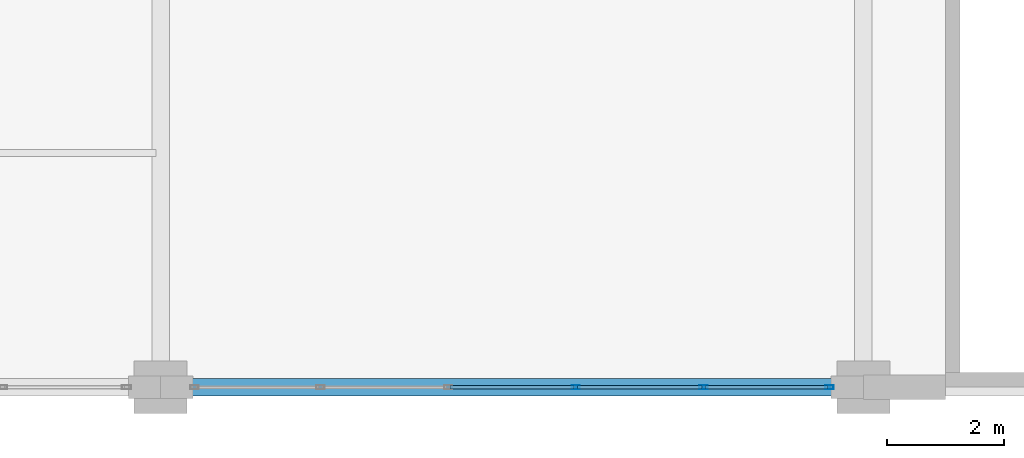
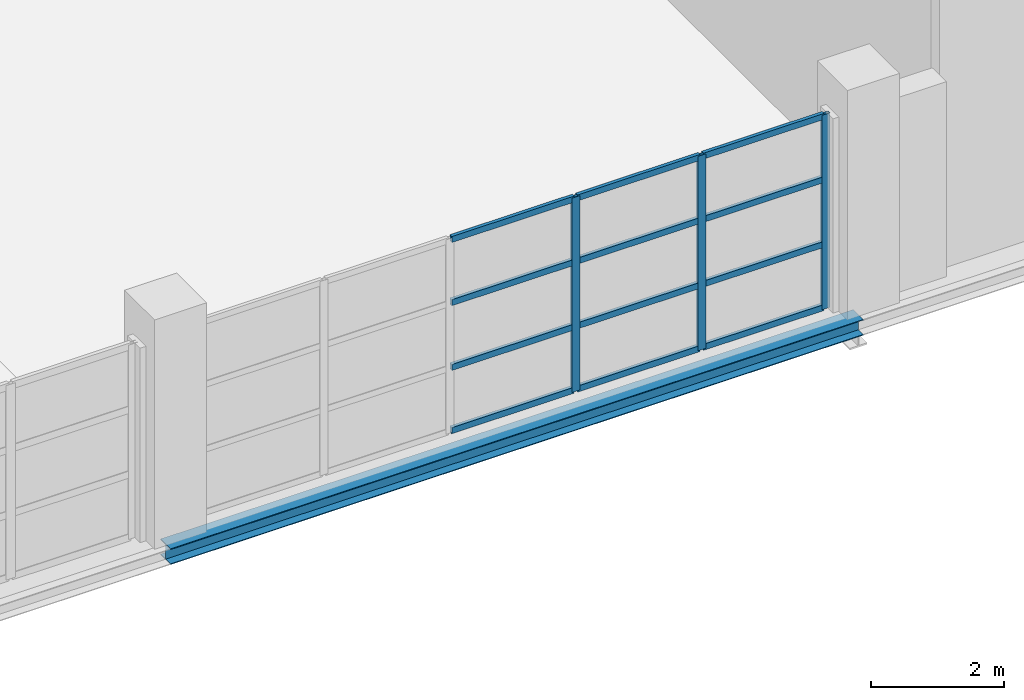
# One storey, part 71 of 158: 15 members, 1 beam, 1 element without a shape of its own.
"""IFC4 building model written with IfcOpenShell, lengths in metres."""

from ifc_helpers import new_model, si_unit, direction, frame, origin, origin_2d, place, context, subcontext, project, spatial, hollow_rectangle, i_section, extrude, material, layer, layer_set, material_profile, profile_set, type_object, element, aggregate, save


model = new_model("IFC4")

# Units and contexts
model_context = context("Model", 3, precision=1e-05, world=origin(), true_north=direction((0.0, 1.0)))
body_context = subcontext(model_context, "Body", "Model", "MODEL_VIEW")
ifc_project = project(units=[si_unit("LENGTHUNIT", "METRE"), si_unit("AREAUNIT", "SQUARE_METRE"), si_unit("VOLUMEUNIT", "CUBIC_METRE"), si_unit("PLANEANGLEUNIT", "RADIAN"), si_unit("MASSUNIT", "GRAM", prefix="KILO")], contexts=[model_context])

# Site, building, storey
site_placement = place(None, origin())
site = spatial("IfcSite", under=ifc_project, at=site_placement, CompositionType="ELEMENT")
building_placement = place(site_placement, origin())
building = spatial("IfcBuilding", under=site, at=building_placement, Name="Zilviju Railside Exhibition Hall", CompositionType="ELEMENT")
storey_placement = place(building_placement, frame((0.0, 0.0, 4.199951171875)))
storey = spatial("IfcBuildingStorey", under=building, at=storey_placement, Name="L02", CompositionType="ELEMENT", Elevation=4.199951171875)

# Beam
ifc_material_1 = material(Name="Steel S355J2", Category="steel")
ifc_material_profile_1 = material_profile(ifc_material_1, i_section(OverallWidth=0.300048828125, OverallDepth=0.2900390625, WebThickness=0.008544921875, FlangeThickness=0.013916015625, at=origin_2d()), Name="HEA 300")
ifc_profile_set_1 = profile_set([ifc_material_profile_1], Name="Steel S355J2")
beam_type = type_object("IfcBeamType", Name="BM-HEA300", PredefinedType="SPANDREL", material=ifc_profile_set_1)
beam_placement = place(storey_placement, frame((180.0, 0.0, -0.474853515625), z_axis=(1.0, 0.0, 0.0), x_axis=(0.0, 1.0, 0.0)))
element("IfcBeam", 1, at=beam_placement, inside=storey, type_object=beam_type, Name="Primary Girder L02 Y=0.0 (180.0..192.0)", PredefinedType="SPANDREL", context=body_context, shape_type="SweptSolid", body=[
    extrude(i_section(OverallWidth=0.300048828125, OverallDepth=0.2900390625, WebThickness=0.008544921875, FlangeThickness=0.013916015625, at=origin_2d()), origin(), (0.0, 0.0, 1.0), 12.0),
])

# Curtain wall, members
ifc_material_2 = material(Name="Thermally broken aluminium-steel triple-glazed curtain wall", Category="steel")
ifc_layer = layer(ifc_material_2, 0.179931640625)
ifc_layer_set = layer_set([ifc_layer], Name="Thermally broken aluminium-steel triple-glazed curtain wall")
curtain_wall_type = type_object("IfcCurtainWallType", Name="CW-BAY-15", PredefinedType="USERDEFINED", material=ifc_layer_set)
curtain_wall_placement = place(storey_placement, origin())
curtain_wall = element("IfcCurtainWall", 2, at=curtain_wall_placement, inside=storey, type_object=curtain_wall_type, Name="South Hall Facade Curtain Wall L02 (180..192)", ObjectType="GLAZED CURTAIN WALL", PredefinedType="USERDEFINED")
ifc_material_3 = material(Name="Thermally broken anodized aluminium mullion", Category="aluminium")
ifc_material_profile_2 = material_profile(ifc_material_3, hollow_rectangle(XDim=0.06005859375, YDim=0.139892578125, WallThickness=0.0048828125, at=origin_2d()), Name="MULLION 140x60x5")
ifc_profile_set_2 = profile_set([ifc_material_profile_2], Name="Thermally broken anodized aluminium mullion")
member_type_1 = type_object("IfcMemberType", Name="CWM-60x140", PredefinedType="MULLION", material=ifc_profile_set_2)
member_1_placement = place(storey_placement, frame((191.419921875, 0.0, 0.0), z_axis=(0.0, 0.0, 1.0), x_axis=(0.0, -1.0, 0.0)))
member_1 = element("IfcMember", 3, at=member_1_placement, type_object=member_type_1, Name="CW-15 mullion 1", PredefinedType="MULLION", context=body_context, shape_type="SweptSolid", body=[
    extrude(hollow_rectangle(XDim=0.06005859375, YDim=0.139892578125, WallThickness=0.0048828125, at=origin_2d()), origin(), (0.0, 0.0, 1.0), 3.56005859375),
])
member_2_placement = place(storey_placement, frame((189.27001953125, 0.0, 0.0), z_axis=(0.0, 0.0, 1.0), x_axis=(0.0, -1.0, 0.0)))
member_2 = element("IfcMember", 4, at=member_2_placement, type_object=member_type_1, Name="CW-15 mullion 2", PredefinedType="MULLION", context=body_context, shape_type="SweptSolid", body=[
    extrude(hollow_rectangle(XDim=0.06005859375, YDim=0.139892578125, WallThickness=0.0048828125, at=origin_2d()), origin(), (0.0, 0.0, 1.0), 3.56005859375),
])
member_3_placement = place(storey_placement, frame((187.090087890625, 0.0, 0.0), z_axis=(0.0, 0.0, 1.0), x_axis=(0.0, -1.0, 0.0)))
member_3 = element("IfcMember", 5, at=member_3_placement, type_object=member_type_1, Name="CW-15 mullion 3", PredefinedType="MULLION", context=body_context, shape_type="SweptSolid", body=[
    extrude(hollow_rectangle(XDim=0.06005859375, YDim=0.139892578125, WallThickness=0.0048828125, at=origin_2d()), origin(), (0.0, 0.0, 1.0), 3.56005859375),
])
ifc_material_4 = material(Name="Thermally broken anodized aluminium transom", Category="aluminium")
ifc_material_profile_3 = material_profile(ifc_material_4, hollow_rectangle(XDim=0.06005859375, YDim=0.110107421875, WallThickness=0.0048828125, at=origin_2d()), Name="TRANSOM 110x60x5")
ifc_profile_set_3 = profile_set([ifc_material_profile_3], Name="Thermally broken anodized aluminium transom")
member_type_2 = type_object("IfcMemberType", Name="CWT-60x110", PredefinedType="USERDEFINED", material=ifc_profile_set_3)
member_4_placement = place(storey_placement, frame((191.389892578125, 0.0, 0.030029296875), z_axis=(-1.0, 0.0, 0.0), x_axis=(0.0, -1.0, 0.0)))
member_4 = element("IfcMember", 6, at=member_4_placement, type_object=member_type_2, Name="CW-15 transom 1.1", ObjectType="TRANSOM", PredefinedType="USERDEFINED", context=body_context, shape_type="SweptSolid", body=[
    extrude(hollow_rectangle(XDim=0.06005859375, YDim=0.110107421875, WallThickness=0.0048828125, at=origin_2d()), origin(), (0.0, 0.0, 1.0), 2.08984375),
])
member_5_placement = place(storey_placement, frame((191.389892578125, 0.0, 1.18701171875), z_axis=(-1.0, 0.0, 0.0), x_axis=(0.0, -1.0, 0.0)))
member_5 = element("IfcMember", 7, at=member_5_placement, type_object=member_type_2, Name="CW-15 transom 1.2", ObjectType="TRANSOM", PredefinedType="USERDEFINED", context=body_context, shape_type="SweptSolid", body=[
    extrude(hollow_rectangle(XDim=0.06005859375, YDim=0.110107421875, WallThickness=0.0048828125, at=origin_2d()), origin(), (0.0, 0.0, 1.0), 2.08984375),
])
member_6_placement = place(storey_placement, frame((191.389892578125, 0.0, 2.373046875), z_axis=(-1.0, 0.0, 0.0), x_axis=(0.0, -1.0, 0.0)))
member_6 = element("IfcMember", 8, at=member_6_placement, type_object=member_type_2, Name="CW-15 transom 1.3", ObjectType="TRANSOM", PredefinedType="USERDEFINED", context=body_context, shape_type="SweptSolid", body=[
    extrude(hollow_rectangle(XDim=0.06005859375, YDim=0.110107421875, WallThickness=0.0048828125, at=origin_2d()), origin(), (0.0, 0.0, 1.0), 2.08984375),
])
member_7_placement = place(storey_placement, frame((191.389892578125, 0.0, 3.530029296875), z_axis=(-1.0, 0.0, 0.0), x_axis=(0.0, -1.0, 0.0)))
member_7 = element("IfcMember", 9, at=member_7_placement, type_object=member_type_2, Name="CW-15 transom 1.4", ObjectType="TRANSOM", PredefinedType="USERDEFINED", context=body_context, shape_type="SweptSolid", body=[
    extrude(hollow_rectangle(XDim=0.06005859375, YDim=0.110107421875, WallThickness=0.0048828125, at=origin_2d()), origin(), (0.0, 0.0, 1.0), 2.08984375),
])
member_8_placement = place(storey_placement, frame((189.239990234375, 0.0, 0.030029296875), z_axis=(-1.0, 0.0, 0.0), x_axis=(0.0, -1.0, 0.0)))
member_8 = element("IfcMember", 10, at=member_8_placement, type_object=member_type_2, Name="CW-15 transom 2.1", ObjectType="TRANSOM", PredefinedType="USERDEFINED", context=body_context, shape_type="SweptSolid", body=[
    extrude(hollow_rectangle(XDim=0.06005859375, YDim=0.110107421875, WallThickness=0.0048828125, at=origin_2d()), origin(), (0.0, 0.0, 1.0), 2.119873046875),
])
member_9_placement = place(storey_placement, frame((189.239990234375, 0.0, 1.18701171875), z_axis=(-1.0, 0.0, 0.0), x_axis=(0.0, -1.0, 0.0)))
member_9 = element("IfcMember", 11, at=member_9_placement, type_object=member_type_2, Name="CW-15 transom 2.2", ObjectType="TRANSOM", PredefinedType="USERDEFINED", context=body_context, shape_type="SweptSolid", body=[
    extrude(hollow_rectangle(XDim=0.06005859375, YDim=0.110107421875, WallThickness=0.0048828125, at=origin_2d()), origin(), (0.0, 0.0, 1.0), 2.119873046875),
])
member_10_placement = place(storey_placement, frame((189.239990234375, 0.0, 2.373046875), z_axis=(-1.0, 0.0, 0.0), x_axis=(0.0, -1.0, 0.0)))
member_10 = element("IfcMember", 12, at=member_10_placement, type_object=member_type_2, Name="CW-15 transom 2.3", ObjectType="TRANSOM", PredefinedType="USERDEFINED", context=body_context, shape_type="SweptSolid", body=[
    extrude(hollow_rectangle(XDim=0.06005859375, YDim=0.110107421875, WallThickness=0.0048828125, at=origin_2d()), origin(), (0.0, 0.0, 1.0), 2.119873046875),
])
member_11_placement = place(storey_placement, frame((189.239990234375, 0.0, 3.530029296875), z_axis=(-1.0, 0.0, 0.0), x_axis=(0.0, -1.0, 0.0)))
member_11 = element("IfcMember", 13, at=member_11_placement, type_object=member_type_2, Name="CW-15 transom 2.4", ObjectType="TRANSOM", PredefinedType="USERDEFINED", context=body_context, shape_type="SweptSolid", body=[
    extrude(hollow_rectangle(XDim=0.06005859375, YDim=0.110107421875, WallThickness=0.0048828125, at=origin_2d()), origin(), (0.0, 0.0, 1.0), 2.119873046875),
])
member_12_placement = place(storey_placement, frame((187.06005859375, 0.0, 0.030029296875), z_axis=(-1.0, 0.0, 0.0), x_axis=(0.0, -1.0, 0.0)))
member_12 = element("IfcMember", 14, at=member_12_placement, type_object=member_type_2, Name="CW-15 transom 3.1", ObjectType="TRANSOM", PredefinedType="USERDEFINED", context=body_context, shape_type="SweptSolid", body=[
    extrude(hollow_rectangle(XDim=0.06005859375, YDim=0.110107421875, WallThickness=0.0048828125, at=origin_2d()), origin(), (0.0, 0.0, 1.0), 2.1201171875),
])
member_13_placement = place(storey_placement, frame((187.06005859375, 0.0, 1.18701171875), z_axis=(-1.0, 0.0, 0.0), x_axis=(0.0, -1.0, 0.0)))
member_13 = element("IfcMember", 15, at=member_13_placement, type_object=member_type_2, Name="CW-15 transom 3.2", ObjectType="TRANSOM", PredefinedType="USERDEFINED", context=body_context, shape_type="SweptSolid", body=[
    extrude(hollow_rectangle(XDim=0.06005859375, YDim=0.110107421875, WallThickness=0.0048828125, at=origin_2d()), origin(), (0.0, 0.0, 1.0), 2.1201171875),
])
member_14_placement = place(storey_placement, frame((187.06005859375, 0.0, 2.373046875), z_axis=(-1.0, 0.0, 0.0), x_axis=(0.0, -1.0, 0.0)))
member_14 = element("IfcMember", 16, at=member_14_placement, type_object=member_type_2, Name="CW-15 transom 3.3", ObjectType="TRANSOM", PredefinedType="USERDEFINED", context=body_context, shape_type="SweptSolid", body=[
    extrude(hollow_rectangle(XDim=0.06005859375, YDim=0.110107421875, WallThickness=0.0048828125, at=origin_2d()), origin(), (0.0, 0.0, 1.0), 2.1201171875),
])
member_15_placement = place(storey_placement, frame((187.06005859375, 0.0, 3.530029296875), z_axis=(-1.0, 0.0, 0.0), x_axis=(0.0, -1.0, 0.0)))
member_15 = element("IfcMember", 17, at=member_15_placement, type_object=member_type_2, Name="CW-15 transom 3.4", ObjectType="TRANSOM", PredefinedType="USERDEFINED", context=body_context, shape_type="SweptSolid", body=[
    extrude(hollow_rectangle(XDim=0.06005859375, YDim=0.110107421875, WallThickness=0.0048828125, at=origin_2d()), origin(), (0.0, 0.0, 1.0), 2.1201171875),
])
aggregate(curtain_wall, [member_1, member_2, member_3, member_4, member_5, member_6, member_7, member_8, member_9, member_10, member_11, member_12, member_13, member_14, member_15])

save(model, "model.ifc")
